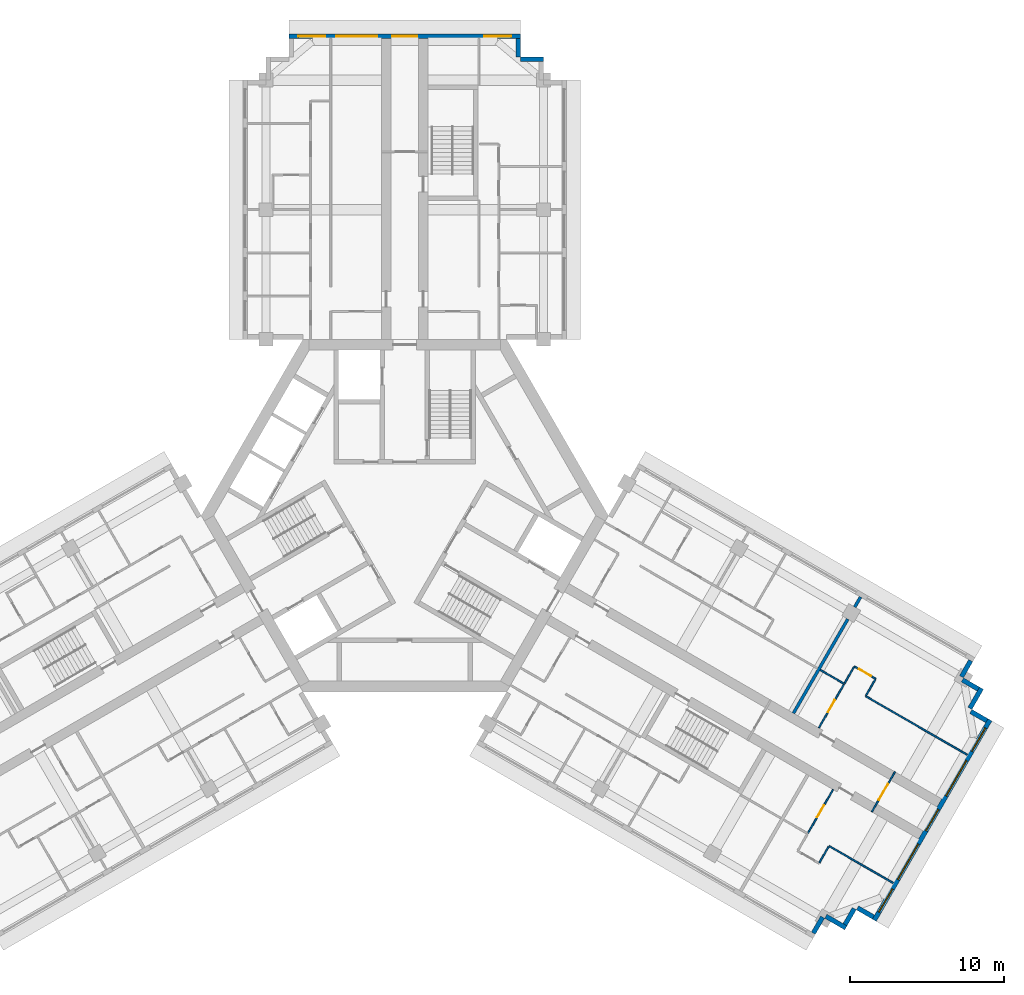
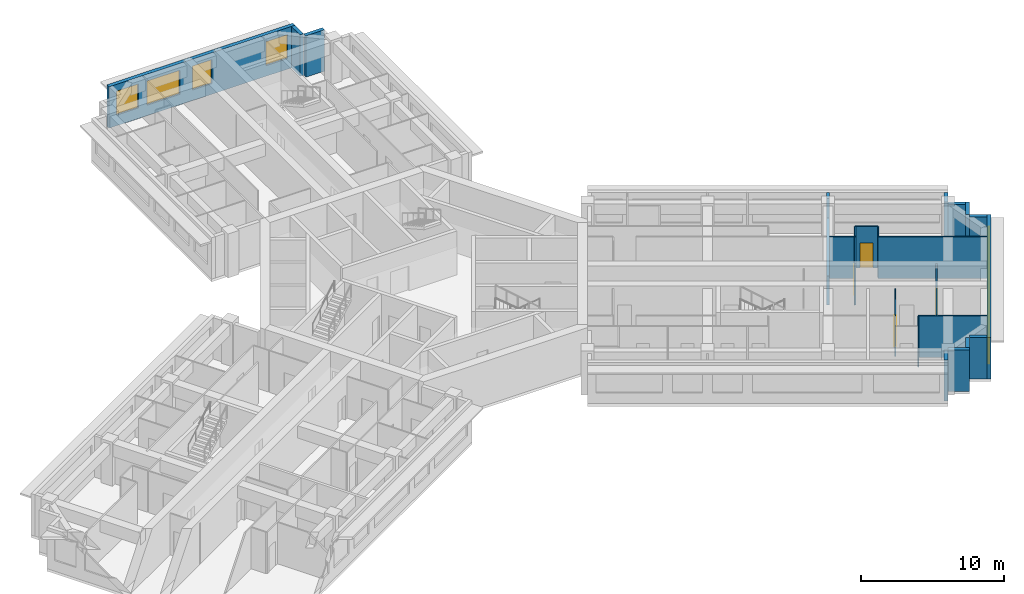
# One storey, part 9 of 11: 24 walls, 9 windows, 4 doors, 13 openings.
"""IFC4 building model written with IfcOpenShell, lengths in metres."""

from ifc_helpers import new_model, si_unit, direction, frame, frame_2d, origin, place, context, subcontext, project, spatial, rectangle, extrude, material, layer, layer_set, type_object, element, fill, save


model = new_model("IFC4")

# Units and contexts
model_context = context("Model", 3, precision=1e-05, world=origin(), true_north=direction((0.0, 1.0)))
body_context = subcontext(model_context, "Body", "Model", "MODEL_VIEW")
ifc_project = project(units=[si_unit("LENGTHUNIT", "METRE"), si_unit("AREAUNIT", "SQUARE_METRE"), si_unit("VOLUMEUNIT", "CUBIC_METRE"), si_unit("PLANEANGLEUNIT", "RADIAN"), si_unit("MASSUNIT", "GRAM", prefix="KILO")], contexts=[model_context])

# Site, building, storey
site_placement = place(None, origin())
site = spatial("IfcSite", under=ifc_project, at=site_placement, CompositionType="ELEMENT")
building_placement = place(site_placement, origin())
building = spatial("IfcBuilding", under=site, at=building_placement, Name="Impinga Residences", CompositionType="ELEMENT")
storey_placement = place(building_placement, frame((0.0, 0.0, 207.25)))
storey = spatial("IfcBuildingStorey", under=building, at=storey_placement, Name="L51", CompositionType="ELEMENT", Elevation=207.25)

# Wall, opening, door
ifc_material_1 = material(Name="Concrete blockwork", Category="masonry")
ifc_layer_1 = layer(ifc_material_1, 0.10009765625)
ifc_layer_set_1 = layer_set([ifc_layer_1], Name="CP1 core room partition, blockwork 100")
wall_type_1 = type_object("IfcWallType", Name="CP1 core room partition, blockwork 100", PredefinedType="PARTITIONING", material=ifc_layer_set_1)
wall_1_placement = place(storey_placement, frame((31.781005859375, -16.61669921875, 0.0), z_axis=(0.0, 0.0, 1.0), x_axis=(-0.499990139034, -0.866031096941, 0.0)))
wall_1 = element("IfcWall", 1, at=wall_1_placement, inside=storey, type_object=wall_type_1, Name="Core room partition, blockwork L51:E:LNG", PredefinedType="PARTITIONING", context=body_context, shape_type="SweptSolid", body=[
    extrude(rectangle(XDim=3.0, YDim=0.10009765625, at=frame_2d((1.5, 0.0))), origin(), (0.0, 0.0, 1.0), 3.530029296875),
])
opening_1_placement = place(wall_1_placement, frame((0.89990234375, 0.0, 0.0)))
opening_1 = element("IfcOpeningElement", 2, at=opening_1_placement, cuts=wall_1, Name="Opening D3", PredefinedType="OPENING", context=body_context, shape_type="SweptSolid", body=[
    extrude(rectangle(XDim=1.199951171875, YDim=2.10009765625, at=frame_2d((0.60009765625, 1.050048828125))), frame((0.0, 0.06005859375, 0.0), z_axis=(0.0, -1.0, 0.0), x_axis=(1.0, 0.0, 0.0)), (0.0, 0.0, 1.0), 0.1201171875),
])
ifc_material_2 = material(Name="Timber door set", Category="wood")
door_type_1 = type_object("IfcDoorType", Name="D3 room door, leaf and a half 1200x2100", OperationType="DOUBLE_SWING_LEFT", PredefinedType="DOOR", material=ifc_material_2)
door_1_placement = place(opening_1_placement, origin())
door_1 = element("IfcDoor", 3, at=door_1_placement, inside=storey, type_object=door_type_1, Name="Residents' lounge door E", OperationType="DOUBLE_SWING_LEFT", OverallHeight=2.10009765625, OverallWidth=1.199951171875, PredefinedType="DOOR", context=body_context, shape_type="SweptSolid", body=[
    extrude(rectangle(XDim=1.199951171875, YDim=2.10009765625, at=frame_2d((0.60009765625, 1.050048828125))), frame((0.0, 0.02490234375, 0.0), z_axis=(0.0, -1.0, 0.0), x_axis=(1.0, 0.0, 0.0)), (0.0, 0.0, 1.0), 0.050048828125),
])
fill(opening_1, door_1)

# Wall, openings, windows
ifc_material_3 = material(Name="Terracotta rainscreen on blockwork", Category="masonry")
ifc_layer_2 = layer(ifc_material_3, 0.300048828125)
ifc_layer_set_2 = layer_set([ifc_layer_2], Name="EW1 external wall, terracotta rainscreen on blockwork 300")
wall_type_2 = type_object("IfcWallType", Name="EW1 external wall, terracotta rainscreen on blockwork 300", PredefinedType="SOLIDWALL", material=ifc_layer_set_2)
wall_2_placement = place(storey_placement, frame((-7.5, 31.08154296875, 0.0), z_axis=(0.0, 0.0, 1.0), x_axis=(1.0, 0.0, 0.0)))
wall_2 = element("IfcWall", 4, at=wall_2_placement, inside=storey, type_object=wall_type_2, Name="External wall EW1 L51", PredefinedType="SOLIDWALL", context=body_context, shape_type="SweptSolid", body=[
    extrude(rectangle(XDim=15.0, YDim=0.300048828125, at=frame_2d((7.5, 0.0))), origin(), (0.0, 0.0, 1.0), 3.530029296875),
])
opening_2_placement = place(wall_2_placement, frame((0.60009765625, 0.0, 0.89990234375)))
opening_2 = element("IfcOpeningElement", 5, at=opening_2_placement, cuts=wall_2, Name="Opening W1", PredefinedType="OPENING", context=body_context, shape_type="SweptSolid", body=[
    extrude(rectangle(XDim=1.75, YDim=2.050048828125, at=frame_2d((0.875, 1.02490234375))), frame((0.0, 0.159912109375, 0.0), z_axis=(0.0, -1.0, 0.0), x_axis=(1.0, 0.0, 0.0)), (0.0, 0.0, 1.0), 0.320068359375),
])
opening_3_placement = place(wall_2_placement, frame((3.050048828125, 0.0, 0.89990234375)))
opening_3 = element("IfcOpeningElement", 6, at=opening_3_placement, cuts=wall_2, Name="Opening W18", PredefinedType="OPENING", context=body_context, shape_type="SweptSolid", body=[
    extrude(rectangle(XDim=2.64990234375, YDim=2.050048828125, at=frame_2d((1.324951171875, 1.02490234375))), frame((0.0, 0.159912109375, 0.0), z_axis=(0.0, -1.0, 0.0), x_axis=(1.0, 0.0, 0.0)), (0.0, 0.0, 1.0), 0.320068359375),
])
opening_4_placement = place(wall_2_placement, frame((6.699951171875, 0.0, 0.89990234375)))
opening_4 = element("IfcOpeningElement", 7, at=opening_4_placement, cuts=wall_2, Name="Opening W19", PredefinedType="OPENING", context=body_context, shape_type="SweptSolid", body=[
    extrude(rectangle(XDim=1.60009765625, YDim=2.050048828125, at=frame_2d((0.800048828125, 1.02490234375))), frame((0.0, 0.159912109375, 0.0), z_axis=(0.0, -1.0, 0.0), x_axis=(1.0, 0.0, 0.0)), (0.0, 0.0, 1.0), 0.320068359375),
])
opening_5_placement = place(wall_2_placement, frame((12.64990234375, 0.0, 0.89990234375)))
opening_5 = element("IfcOpeningElement", 8, at=opening_5_placement, cuts=wall_2, Name="Opening W1", PredefinedType="OPENING", context=body_context, shape_type="SweptSolid", body=[
    extrude(rectangle(XDim=1.75, YDim=2.050048828125, at=frame_2d((0.875, 1.02490234375))), frame((0.0, 0.159912109375, 0.0), z_axis=(0.0, -1.0, 0.0), x_axis=(1.0, 0.0, 0.0)), (0.0, 0.0, 1.0), 0.320068359375),
])
ifc_material_4 = material(Name="Aluminium window, clear double glazing", Category="aluminium")
window_type_1 = type_object("IfcWindowType", Name="W1 ribbon window 1750x2050", PartitioningType="SINGLE_PANEL", PredefinedType="WINDOW", material=ifc_material_4)
window_1_placement = place(opening_2_placement, origin())
window_1 = element("IfcWindow", 9, at=window_1_placement, inside=storey, type_object=window_type_1, Name="Window L51", OverallHeight=2.050048828125, OverallWidth=1.75, PartitioningType="SINGLE_PANEL", PredefinedType="WINDOW", context=body_context, shape_type="SweptSolid", body=[
    extrude(rectangle(XDim=1.75, YDim=2.050048828125, at=frame_2d((0.875, 1.02490234375))), frame((0.0, 0.030029296875, 0.0), z_axis=(0.0, -1.0, 0.0), x_axis=(1.0, 0.0, 0.0)), (0.0, 0.0, 1.0), 0.06005859375),
])
fill(opening_2, window_1)
window_2_placement = place(opening_5_placement, origin())
window_2 = element("IfcWindow", 10, at=window_2_placement, inside=storey, type_object=window_type_1, Name="Window L51", OverallHeight=2.050048828125, OverallWidth=1.75, PartitioningType="SINGLE_PANEL", PredefinedType="WINDOW", context=body_context, shape_type="SweptSolid", body=[
    extrude(rectangle(XDim=1.75, YDim=2.050048828125, at=frame_2d((0.875, 1.02490234375))), frame((0.0, 0.030029296875, 0.0), z_axis=(0.0, -1.0, 0.0), x_axis=(1.0, 0.0, 0.0)), (0.0, 0.0, 1.0), 0.06005859375),
])
fill(opening_5, window_2)
window_type_2 = type_object("IfcWindowType", Name="W18 ribbon window 2650x2050", PartitioningType="SINGLE_PANEL", PredefinedType="WINDOW", material=ifc_material_4)
window_3_placement = place(opening_3_placement, origin())
window_3 = element("IfcWindow", 11, at=window_3_placement, inside=storey, type_object=window_type_2, Name="Window L51", OverallHeight=2.050048828125, OverallWidth=2.64990234375, PartitioningType="SINGLE_PANEL", PredefinedType="WINDOW", context=body_context, shape_type="SweptSolid", body=[
    extrude(rectangle(XDim=2.64990234375, YDim=2.050048828125, at=frame_2d((1.324951171875, 1.02490234375))), frame((0.0, 0.030029296875, 0.0), z_axis=(0.0, -1.0, 0.0), x_axis=(1.0, 0.0, 0.0)), (0.0, 0.0, 1.0), 0.06005859375),
])
fill(opening_3, window_3)
window_type_3 = type_object("IfcWindowType", Name="W19 ribbon window 1600x2050", PartitioningType="SINGLE_PANEL", PredefinedType="WINDOW", material=ifc_material_4)
window_4_placement = place(opening_4_placement, origin())
window_4 = element("IfcWindow", 12, at=window_4_placement, inside=storey, type_object=window_type_3, Name="Window L51", OverallHeight=2.050048828125, OverallWidth=1.60009765625, PartitioningType="SINGLE_PANEL", PredefinedType="WINDOW", context=body_context, shape_type="SweptSolid", body=[
    extrude(rectangle(XDim=1.60009765625, YDim=2.050048828125, at=frame_2d((0.800048828125, 1.02490234375))), frame((0.0, 0.030029296875, 0.0), z_axis=(0.0, -1.0, 0.0), x_axis=(1.0, 0.0, 0.0)), (0.0, 0.0, 1.0), 0.06005859375),
])
fill(opening_4, window_4)

# Walls
wall_3_placement = place(storey_placement, frame((7.35009765625, 30.931640625, 0.0), z_axis=(0.0, 0.0, 1.0), x_axis=(0.0, -1.0, 0.0)))
element("IfcWall", 13, at=wall_3_placement, inside=storey, type_object=wall_type_2, Name="External wall EW1 L51", PredefinedType="SOLIDWALL", context=body_context, shape_type="SweptSolid", body=[
    extrude(rectangle(XDim=1.195068359375, YDim=0.300048828125, at=frame_2d((0.59765625, 0.0))), origin(), (0.0, 0.0, 1.0), 3.530029296875),
])
wall_4_placement = place(storey_placement, frame((7.5, 29.58154296875, 0.0), z_axis=(0.0, 0.0, 1.0), x_axis=(1.0, 0.0, 0.0)))
element("IfcWall", 14, at=wall_4_placement, inside=storey, type_object=wall_type_2, Name="External wall EW1 L51", PredefinedType="SOLIDWALL", context=body_context, shape_type="SweptSolid", body=[
    extrude(rectangle(XDim=1.5, YDim=0.300048828125, at=frame_2d((0.75, 0.0))), origin(), (0.0, 0.0, 1.0), 3.530029296875),
])
wall_5_placement = place(storey_placement, frame((36.69384765625, -9.4072265625, 0.0), z_axis=(0.0, 0.0, 1.0), x_axis=(-0.499880961361, -0.866094119867, 0.0)))
element("IfcWall", 15, at=wall_5_placement, inside=storey, type_object=wall_type_2, Name="External wall EW1 L51", PredefinedType="SOLIDWALL", context=body_context, shape_type="SweptSolid", body=[
    extrude(rectangle(XDim=1.199951171875, YDim=0.300048828125, at=frame_2d((0.60009765625, 0.0))), origin(), (0.0, 0.0, 1.0), 3.530029296875),
])
wall_6_placement = place(storey_placement, frame((36.153076171875, -10.654052734375, 0.0), z_axis=(0.0, 0.0, 1.0), x_axis=(0.866059708757, -0.499940577336, 0.0)))
element("IfcWall", 16, at=wall_6_placement, inside=storey, type_object=wall_type_2, Name="External wall EW1 L51", PredefinedType="SOLIDWALL", context=body_context, shape_type="SweptSolid", body=[
    extrude(rectangle(XDim=1.195068359375, YDim=0.300048828125, at=frame_2d((0.59765625, 0.0))), origin(), (0.0, 0.0, 1.0), 3.530029296875),
])
wall_7_placement = place(storey_placement, frame((37.39306640625, -11.196533203125, 0.0), z_axis=(0.0, 0.0, 1.0), x_axis=(-0.499990139034, -0.866031096941, 0.0)))
element("IfcWall", 17, at=wall_7_placement, inside=storey, type_object=wall_type_2, Name="External wall EW1 L51", PredefinedType="SOLIDWALL", context=body_context, shape_type="SweptSolid", body=[
    extrude(rectangle(XDim=1.5, YDim=0.300048828125, at=frame_2d((0.75, 0.0))), origin(), (0.0, 0.0, 1.0), 3.530029296875),
])
wall_8_placement = place(storey_placement, frame((36.7021484375, -12.702880859375, 0.0), z_axis=(0.0, 0.0, 1.0), x_axis=(0.865971243484, -0.500093796661, 0.0)))
element("IfcWall", 18, at=wall_8_placement, inside=storey, type_object=wall_type_2, Name="External wall EW1 L51", PredefinedType="SOLIDWALL", context=body_context, shape_type="SweptSolid", body=[
    extrude(rectangle(XDim=1.195068359375, YDim=0.300048828125, at=frame_2d((0.59765625, 0.0))), origin(), (0.0, 0.0, 1.0), 3.530029296875),
])

# Wall, openings, windows
wall_9_placement = place(storey_placement, frame((37.94189453125, -13.24560546875, 0.0), z_axis=(0.0, 0.0, 1.0), x_axis=(-0.500004234368, -0.866022959057, 0.0)))
wall_9 = element("IfcWall", 19, at=wall_9_placement, inside=storey, type_object=wall_type_2, Name="External wall EW1 L51", PredefinedType="SOLIDWALL", context=body_context, shape_type="SweptSolid", body=[
    extrude(rectangle(XDim=14.999755859375, YDim=0.300048828125, at=frame_2d((7.5, 0.0))), origin(), (0.0, 0.0, 1.0), 3.530029296875),
])
opening_6_placement = place(wall_9_placement, frame((0.60009765625, 0.0, 0.89990234375)))
opening_6 = element("IfcOpeningElement", 20, at=opening_6_placement, cuts=wall_9, Name="Opening W1", PredefinedType="OPENING", context=body_context, shape_type="SweptSolid", body=[
    extrude(rectangle(XDim=1.75, YDim=2.050048828125, at=frame_2d((0.875, 1.02490234375))), frame((0.0, 0.159912109375, 0.0), z_axis=(0.0, -1.0, 0.0), x_axis=(1.0, 0.0, 0.0)), (0.0, 0.0, 1.0), 0.320068359375),
])
opening_7_placement = place(wall_9_placement, frame((3.050048828125, 0.0, 0.89990234375)))
opening_7 = element("IfcOpeningElement", 21, at=opening_7_placement, cuts=wall_9, Name="Opening W18", PredefinedType="OPENING", context=body_context, shape_type="SweptSolid", body=[
    extrude(rectangle(XDim=2.64990234375, YDim=2.050048828125, at=frame_2d((1.324951171875, 1.02490234375))), frame((0.0, 0.159912109375, 0.0), z_axis=(0.0, -1.0, 0.0), x_axis=(1.0, 0.0, 0.0)), (0.0, 0.0, 1.0), 0.320068359375),
])
opening_8_placement = place(wall_9_placement, frame((6.699951171875, 0.0, 0.89990234375)))
opening_8 = element("IfcOpeningElement", 22, at=opening_8_placement, cuts=wall_9, Name="Opening W19", PredefinedType="OPENING", context=body_context, shape_type="SweptSolid", body=[
    extrude(rectangle(XDim=1.60009765625, YDim=2.050048828125, at=frame_2d((0.800048828125, 1.02490234375))), frame((0.0, 0.159912109375, 0.0), z_axis=(0.0, -1.0, 0.0), x_axis=(1.0, 0.0, 0.0)), (0.0, 0.0, 1.0), 0.320068359375),
])
opening_9_placement = place(wall_9_placement, frame((9.300048828125, 0.0, 0.89990234375)))
opening_9 = element("IfcOpeningElement", 23, at=opening_9_placement, cuts=wall_9, Name="Opening W18", PredefinedType="OPENING", context=body_context, shape_type="SweptSolid", body=[
    extrude(rectangle(XDim=2.64990234375, YDim=2.050048828125, at=frame_2d((1.324951171875, 1.02490234375))), frame((0.0, 0.159912109375, 0.0), z_axis=(0.0, -1.0, 0.0), x_axis=(1.0, 0.0, 0.0)), (0.0, 0.0, 1.0), 0.320068359375),
])
opening_10_placement = place(wall_9_placement, frame((12.64990234375, 0.0, 0.89990234375)))
opening_10 = element("IfcOpeningElement", 24, at=opening_10_placement, cuts=wall_9, Name="Opening W1", PredefinedType="OPENING", context=body_context, shape_type="SweptSolid", body=[
    extrude(rectangle(XDim=1.75, YDim=2.050048828125, at=frame_2d((0.875, 1.02490234375))), frame((0.0, 0.159912109375, 0.0), z_axis=(0.0, -1.0, 0.0), x_axis=(1.0, 0.0, 0.0)), (0.0, 0.0, 1.0), 0.320068359375),
])
window_5_placement = place(opening_6_placement, origin())
window_5 = element("IfcWindow", 25, at=window_5_placement, inside=storey, type_object=window_type_1, Name="Window L51", OverallHeight=2.050048828125, OverallWidth=1.75, PartitioningType="SINGLE_PANEL", PredefinedType="WINDOW", context=body_context, shape_type="SweptSolid", body=[
    extrude(rectangle(XDim=1.75, YDim=2.050048828125, at=frame_2d((0.875, 1.02490234375))), frame((0.0, 0.030029296875, 0.0), z_axis=(0.0, -1.0, 0.0), x_axis=(1.0, 0.0, 0.0)), (0.0, 0.0, 1.0), 0.06005859375),
])
fill(opening_6, window_5)
window_6_placement = place(opening_10_placement, origin())
window_6 = element("IfcWindow", 26, at=window_6_placement, inside=storey, type_object=window_type_1, Name="Window L51", OverallHeight=2.050048828125, OverallWidth=1.75, PartitioningType="SINGLE_PANEL", PredefinedType="WINDOW", context=body_context, shape_type="SweptSolid", body=[
    extrude(rectangle(XDim=1.75, YDim=2.050048828125, at=frame_2d((0.875, 1.02490234375))), frame((0.0, 0.030029296875, 0.0), z_axis=(0.0, -1.0, 0.0), x_axis=(1.0, 0.0, 0.0)), (0.0, 0.0, 1.0), 0.06005859375),
])
fill(opening_10, window_6)
window_7_placement = place(opening_7_placement, origin())
window_7 = element("IfcWindow", 27, at=window_7_placement, inside=storey, type_object=window_type_2, Name="Window L51", OverallHeight=2.050048828125, OverallWidth=2.64990234375, PartitioningType="SINGLE_PANEL", PredefinedType="WINDOW", context=body_context, shape_type="SweptSolid", body=[
    extrude(rectangle(XDim=2.64990234375, YDim=2.050048828125, at=frame_2d((1.324951171875, 1.02490234375))), frame((0.0, 0.030029296875, 0.0), z_axis=(0.0, -1.0, 0.0), x_axis=(1.0, 0.0, 0.0)), (0.0, 0.0, 1.0), 0.06005859375),
])
fill(opening_7, window_7)
window_8_placement = place(opening_9_placement, origin())
window_8 = element("IfcWindow", 28, at=window_8_placement, inside=storey, type_object=window_type_2, Name="Window L51", OverallHeight=2.050048828125, OverallWidth=2.64990234375, PartitioningType="SINGLE_PANEL", PredefinedType="WINDOW", context=body_context, shape_type="SweptSolid", body=[
    extrude(rectangle(XDim=2.64990234375, YDim=2.050048828125, at=frame_2d((1.324951171875, 1.02490234375))), frame((0.0, 0.030029296875, 0.0), z_axis=(0.0, -1.0, 0.0), x_axis=(1.0, 0.0, 0.0)), (0.0, 0.0, 1.0), 0.06005859375),
])
fill(opening_9, window_8)
window_9_placement = place(opening_8_placement, origin())
window_9 = element("IfcWindow", 29, at=window_9_placement, inside=storey, type_object=window_type_3, Name="Window L51", OverallHeight=2.050048828125, OverallWidth=1.60009765625, PartitioningType="SINGLE_PANEL", PredefinedType="WINDOW", context=body_context, shape_type="SweptSolid", body=[
    extrude(rectangle(XDim=1.60009765625, YDim=2.050048828125, at=frame_2d((0.800048828125, 1.02490234375))), frame((0.0, 0.030029296875, 0.0), z_axis=(0.0, -1.0, 0.0), x_axis=(1.0, 0.0, 0.0)), (0.0, 0.0, 1.0), 0.06005859375),
])
fill(opening_8, window_9)

# Walls
wall_10_placement = place(storey_placement, frame((30.38720703125, -26.031005859375, 0.0), z_axis=(0.0, 0.0, 1.0), x_axis=(-0.866059708757, 0.499940577336, 0.0)))
element("IfcWall", 30, at=wall_10_placement, inside=storey, type_object=wall_type_2, Name="External wall EW1 L51", PredefinedType="SOLIDWALL", context=body_context, shape_type="SweptSolid", body=[
    extrude(rectangle(XDim=1.195068359375, YDim=0.300048828125, at=frame_2d((0.59765625, 0.0))), origin(), (0.0, 0.0, 1.0), 3.530029296875),
])
wall_11_placement = place(storey_placement, frame((29.14306640625, -25.48583984375, 0.0), z_axis=(0.0, 0.0, 1.0), x_axis=(-0.500033551112, -0.866006032174, 0.0)))
element("IfcWall", 31, at=wall_11_placement, inside=storey, type_object=wall_type_2, Name="External wall EW1 L51", PredefinedType="SOLIDWALL", context=body_context, shape_type="SweptSolid", body=[
    extrude(rectangle(XDim=1.2001953125, YDim=0.300048828125, at=frame_2d((0.60009765625, 0.0))), origin(), (0.0, 0.0, 1.0), 3.530029296875),
])
wall_12_placement = place(storey_placement, frame((28.597900390625, -26.72998046875, 0.0), z_axis=(0.0, 0.0, 1.0), x_axis=(-0.866031096941, 0.499990139034, 0.0)))
element("IfcWall", 32, at=wall_12_placement, inside=storey, type_object=wall_type_2, Name="External wall EW1 L51", PredefinedType="SOLIDWALL", context=body_context, shape_type="SweptSolid", body=[
    extrude(rectangle(XDim=1.5, YDim=0.300048828125, at=frame_2d((0.75, 0.0))), origin(), (0.0, 0.0, 1.0), 3.530029296875),
])
wall_13_placement = place(storey_placement, frame((27.091552734375, -26.039306640625, 0.0), z_axis=(0.0, 0.0, 1.0), x_axis=(-0.500093796661, -0.865971243484, 0.0)))
element("IfcWall", 33, at=wall_13_placement, inside=storey, type_object=wall_type_2, Name="External wall EW1 L51", PredefinedType="SOLIDWALL", context=body_context, shape_type="SweptSolid", body=[
    extrude(rectangle(XDim=1.195068359375, YDim=0.300048828125, at=frame_2d((0.59765625, 0.0))), origin(), (0.0, 0.0, 1.0), 3.530029296875),
])
ifc_material_5 = material(Name="Gypsum board on steel studs", Category="steel")
ifc_layer_3 = layer(ifc_material_5, 0.10009765625)
ifc_layer_set_3 = layer_set([ifc_layer_3], Name="Gypsum board on steel studs")
wall_type_3 = type_object("IfcWallType", Name="IP1 partition 100", PredefinedType="PARTITIONING", material=ifc_layer_set_3)
wall_14_placement = place(storey_placement, frame((26.935791015625, -10.0087890625, 0.0), z_axis=(0.0, 0.0, 1.0), x_axis=(0.865989075817, -0.500062916607, 0.0)))
element("IfcWall", 34, at=wall_14_placement, inside=storey, type_object=wall_type_3, Name="Partition L51-EA2:DIV0", PredefinedType="PARTITIONING", context=body_context, shape_type="SweptSolid", body=[
    extrude(rectangle(XDim=1.800048828125, YDim=0.10009765625, at=frame_2d((0.89990234375, 0.0))), origin(), (0.0, 0.0, 1.0), 3.530029296875),
])
wall_15_placement = place(storey_placement, frame((29.88037109375, -11.708740234375, 0.0), z_axis=(0.0, 0.0, 1.0), x_axis=(0.866022425744, -0.500005158081, 0.0)))
element("IfcWall", 35, at=wall_15_placement, inside=storey, type_object=wall_type_3, Name="Partition L51-EA2:DIV1", PredefinedType="PARTITIONING", context=body_context, shape_type="SweptSolid", body=[
    extrude(rectangle(XDim=7.60009765625, YDim=0.10009765625, at=frame_2d((3.800048828125, 0.0))), origin(), (0.0, 0.0, 1.0), 3.530029296875),
])

# Wall, opening, door
wall_16_placement = place(storey_placement, frame((29.144775390625, -9.782958984375, 0.0), z_axis=(0.0, 0.0, 1.0), x_axis=(0.865989903783, -0.500061482766, 0.0)))
wall_16 = element("IfcWall", 36, at=wall_16_placement, inside=storey, type_object=wall_type_3, Name="Partition L51-EA2:STRIP", PredefinedType="PARTITIONING", context=body_context, shape_type="SweptSolid", body=[
    extrude(rectangle(XDim=1.599853515625, YDim=0.10009765625, at=frame_2d((0.7998046875, 0.0))), origin(), (0.0, 0.0, 1.0), 3.530029296875),
])
opening_11_placement = place(wall_16_placement, frame((0.35009765625, 0.0, 0.0)))
opening_11 = element("IfcOpeningElement", 37, at=opening_11_placement, cuts=wall_16, Name="Opening D2", PredefinedType="OPENING", context=body_context, shape_type="SweptSolid", body=[
    extrude(rectangle(XDim=0.89990234375, YDim=2.10009765625, at=frame_2d((0.449951171875, 1.050048828125))), frame((0.0, 0.06005859375, 0.0), z_axis=(0.0, -1.0, 0.0), x_axis=(1.0, 0.0, 0.0)), (0.0, 0.0, 1.0), 0.1201171875),
])
door_type_2 = type_object("IfcDoorType", Name="D2 internal door 900x2100", OperationType="SINGLE_SWING_LEFT", PredefinedType="DOOR", material=ifc_material_2)
door_2_placement = place(opening_11_placement, origin())
door_2 = element("IfcDoor", 38, at=door_2_placement, inside=storey, type_object=door_type_2, Name="Apartment L51-EA2 room door", OperationType="SINGLE_SWING_LEFT", OverallHeight=2.10009765625, OverallWidth=0.89990234375, PredefinedType="DOOR", context=body_context, shape_type="SweptSolid", body=[
    extrude(rectangle(XDim=0.89990234375, YDim=2.10009765625, at=frame_2d((0.449951171875, 1.050048828125))), frame((0.0, 0.02490234375, 0.0), z_axis=(0.0, -1.0, 0.0), x_axis=(1.0, 0.0, 0.0)), (0.0, 0.0, 1.0), 0.050048828125),
])
fill(opening_11, door_2)

# Walls
wall_17_placement = place(storey_placement, frame((28.519775390625, -10.865478515625, 0.0), z_axis=(0.0, 0.0, 1.0), x_axis=(0.499969057507, 0.866043267704, 0.0)))
element("IfcWall", 39, at=wall_17_placement, inside=storey, type_object=wall_type_3, Name="Partition L51-EA2:SE0", PredefinedType="PARTITIONING", context=body_context, shape_type="SweptSolid", body=[
    extrude(rectangle(XDim=1.19970703125, YDim=0.10009765625, at=frame_2d((0.599853515625, 0.0))), origin(), (0.0, 0.0, 1.0), 3.530029296875),
])
wall_18_placement = place(storey_placement, frame((29.9052734375, -11.66552734375, 0.0), z_axis=(0.0, 0.0, 1.0), x_axis=(0.500033551112, 0.866006032174, 0.0)))
element("IfcWall", 40, at=wall_18_placement, inside=storey, type_object=wall_type_3, Name="Partition L51-EA2:SE1", PredefinedType="PARTITIONING", context=body_context, shape_type="SweptSolid", body=[
    extrude(rectangle(XDim=1.2001953125, YDim=0.10009765625, at=frame_2d((0.60009765625, 0.0))), origin(), (0.0, 0.0, 1.0), 3.530029296875),
])

# Wall, opening, door
wall_19_placement = place(storey_placement, frame((26.8447265625, -13.766845703125, 0.0), z_axis=(0.0, 0.0, 1.0), x_axis=(0.499984717929, 0.866034226713, 0.0)))
wall_19 = element("IfcWall", 41, at=wall_19_placement, inside=storey, type_object=wall_type_3, Name="Partition L51-EA2:IB1", PredefinedType="PARTITIONING", context=body_context, shape_type="SweptSolid", body=[
    extrude(rectangle(XDim=3.25, YDim=0.10009765625, at=frame_2d((1.625, 0.0))), origin(), (0.0, 0.0, 1.0), 3.530029296875),
])
opening_12_placement = place(wall_19_placement, frame((1.175048828125, 0.0, 0.0)))
opening_12 = element("IfcOpeningElement", 42, at=opening_12_placement, cuts=wall_19, Name="Opening D2", PredefinedType="OPENING", context=body_context, shape_type="SweptSolid", body=[
    extrude(rectangle(XDim=0.89990234375, YDim=2.10009765625, at=frame_2d((0.449951171875, 1.050048828125))), frame((0.0, 0.06005859375, 0.0), z_axis=(0.0, -1.0, 0.0), x_axis=(1.0, 0.0, 0.0)), (0.0, 0.0, 1.0), 0.1201171875),
])
door_3_placement = place(opening_12_placement, origin())
door_3 = element("IfcDoor", 43, at=door_3_placement, inside=storey, type_object=door_type_2, Name="Apartment L51-EA2 bathroom door", OperationType="SINGLE_SWING_LEFT", OverallHeight=2.10009765625, OverallWidth=0.89990234375, PredefinedType="DOOR", context=body_context, shape_type="SweptSolid", body=[
    extrude(rectangle(XDim=0.89990234375, YDim=2.10009765625, at=frame_2d((0.449951171875, 1.050048828125))), frame((0.0, 0.02490234375, 0.0), z_axis=(0.0, -1.0, 0.0), x_axis=(1.0, 0.0, 0.0)), (0.0, 0.0, 1.0), 0.050048828125),
])
fill(opening_12, door_3)

# Walls
wall_20_placement = place(storey_placement, frame((27.505126953125, -21.422607421875, 0.0), z_axis=(0.0, 0.0, 1.0), x_axis=(0.866015339567, -0.500017431331, 0.0)))
element("IfcWall", 44, at=wall_20_placement, inside=storey, type_object=wall_type_3, Name="Partition L51-EF2:DIV1", PredefinedType="PARTITIONING", context=body_context, shape_type="SweptSolid", body=[
    extrude(rectangle(XDim=4.800048828125, YDim=0.10009765625, at=frame_2d((2.39990234375, 0.0))), origin(), (0.0, 0.0, 1.0), 3.530029296875),
])
wall_21_placement = place(storey_placement, frame((27.480224609375, -21.466064453125, 0.0), z_axis=(0.0, 0.0, 1.0), x_axis=(-0.50012165622, -0.865955154139, 0.0)))
element("IfcWall", 45, at=wall_21_placement, inside=storey, type_object=wall_type_3, Name="Partition L51-EF2:SE1", PredefinedType="PARTITIONING", context=body_context, shape_type="SweptSolid", body=[
    extrude(rectangle(XDim=1.199951171875, YDim=0.10009765625, at=frame_2d((0.60009765625, 0.0))), origin(), (0.0, 0.0, 1.0), 3.530029296875),
])

# Wall, opening, door
wall_22_placement = place(storey_placement, frame((27.76953125, -17.764892578125, 0.0), z_axis=(0.0, 0.0, 1.0), x_axis=(-0.500017246033, -0.866015446554, 0.0)))
wall_22 = element("IfcWall", 46, at=wall_22_placement, inside=storey, type_object=wall_type_3, Name="Partition L51-EF2:IB1", PredefinedType="PARTITIONING", context=body_context, shape_type="SweptSolid", body=[
    extrude(rectangle(XDim=3.25, YDim=0.10009765625, at=frame_2d((1.625, 0.0))), origin(), (0.0, 0.0, 1.0), 3.530029296875),
])
opening_13_placement = place(wall_22_placement, frame((1.175048828125, 0.0, 0.0)))
opening_13 = element("IfcOpeningElement", 47, at=opening_13_placement, cuts=wall_22, Name="Opening D2", PredefinedType="OPENING", context=body_context, shape_type="SweptSolid", body=[
    extrude(rectangle(XDim=0.89990234375, YDim=2.10009765625, at=frame_2d((0.449951171875, 1.050048828125))), frame((0.0, 0.06005859375, 0.0), z_axis=(0.0, -1.0, 0.0), x_axis=(1.0, 0.0, 0.0)), (0.0, 0.0, 1.0), 0.1201171875),
])
door_4_placement = place(opening_13_placement, origin())
door_4 = element("IfcDoor", 48, at=door_4_placement, inside=storey, type_object=door_type_2, Name="Apartment L51-EF2 bathroom door", OperationType="SINGLE_SWING_LEFT", OverallHeight=2.10009765625, OverallWidth=0.89990234375, PredefinedType="DOOR", context=body_context, shape_type="SweptSolid", body=[
    extrude(rectangle(XDim=0.89990234375, YDim=2.10009765625, at=frame_2d((0.449951171875, 1.050048828125))), frame((0.0, 0.02490234375, 0.0), z_axis=(0.0, -1.0, 0.0), x_axis=(1.0, 0.0, 0.0)), (0.0, 0.0, 1.0), 0.050048828125),
])
fill(opening_13, door_4)

# Walls
ifc_layer_4 = layer(ifc_material_1, 0.199951171875)
ifc_layer_set_4 = layer_set([ifc_layer_4], Name="PW1 party wall between apartments 200")
wall_type_4 = type_object("IfcWallType", Name="PW1 party wall between apartments 200", PredefinedType="SOLIDWALL", material=ifc_layer_set_4)
wall_23_placement = place(storey_placement, frame((25.19921875, -12.816650390625, 0.0), z_axis=(0.0, 0.0, 1.0), x_axis=(0.499990246421, 0.866031034943, 0.0)))
element("IfcWall", 49, at=wall_23_placement, inside=storey, type_object=wall_type_4, Name="Party wall between apartments L51-EA1:PARTY", PredefinedType="SOLIDWALL", context=body_context, shape_type="SweptSolid", body=[
    extrude(rectangle(XDim=7.050048828125, YDim=0.199951171875, at=frame_2d((3.52490234375, 0.0))), origin(), (0.0, 0.0, 1.0), 2.47998046875),
])
wall_24_placement = place(storey_placement, frame((29.17431640625, -5.931884765625, 0.0), z_axis=(0.0, 0.0, 1.0), x_axis=(0.499919672301, 0.866071776036, 0.0)))
element("IfcWall", 50, at=wall_24_placement, inside=storey, type_object=wall_type_4, Name="Party wall between apartments L51-EA1:PARTYb", PredefinedType="SOLIDWALL", context=body_context, shape_type="SweptSolid", body=[
    extrude(rectangle(XDim=0.75, YDim=0.199951171875, at=frame_2d((0.375, 0.0))), origin(), (0.0, 0.0, 1.0), 3.530029296875),
])

save(model, "model.ifc")
